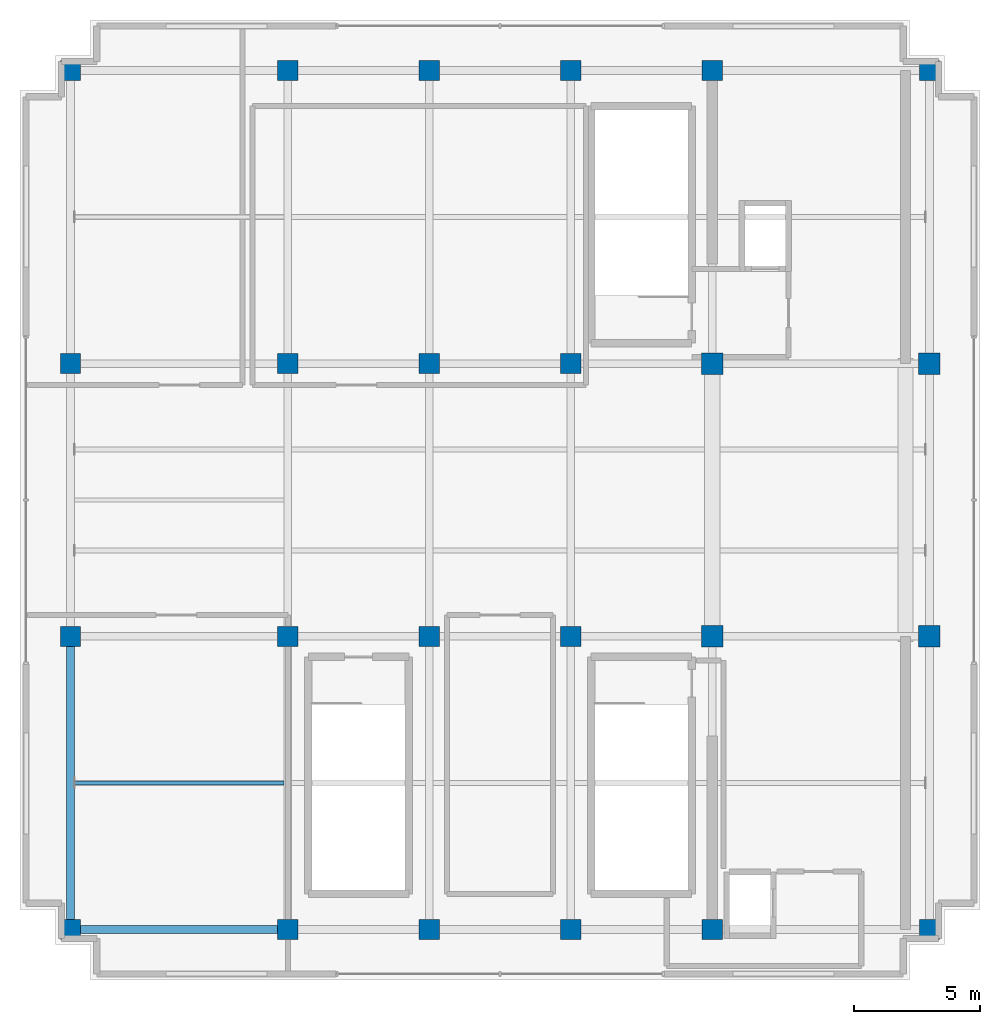
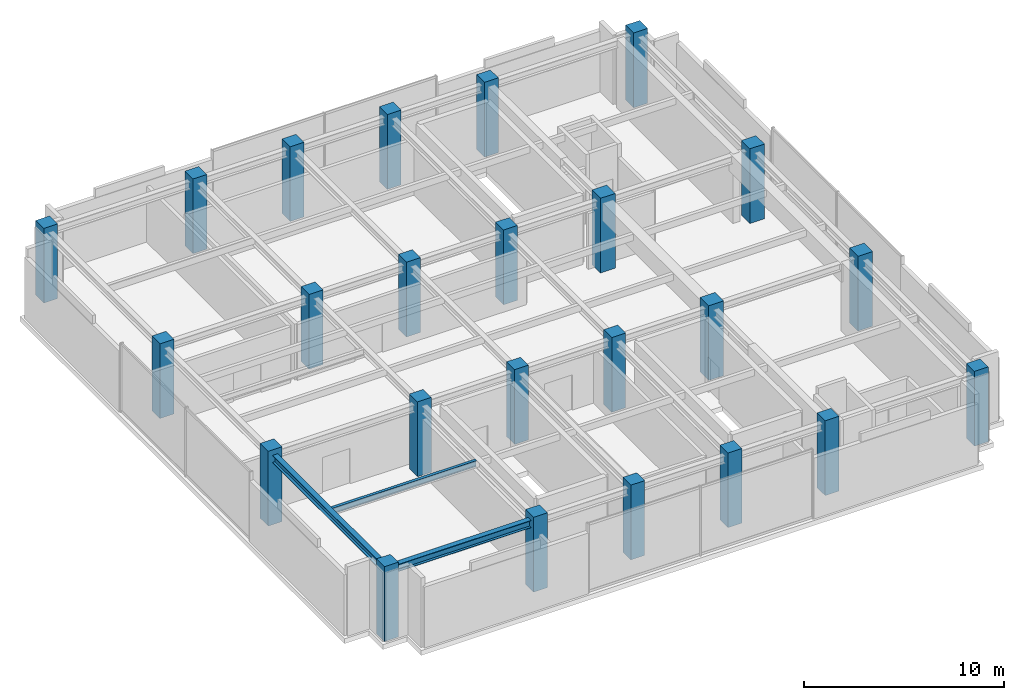
# One storey, part 1 of 21: 24 columns, 3 beams.
"""IFC4 building model written with IfcOpenShell, lengths in metres."""

from ifc_helpers import new_model, si_unit, direction, frame, origin, origin_2d, place, context, subcontext, project, spatial, rectangle, i_section, extrude, source, transform, mapped, material, material_profile, profile_set, type_object, element, save


model = new_model("IFC4")

# Units and contexts
model_context = context("Model", 3, precision=1e-05, world=origin(), true_north=direction((0.0, 1.0)))
body_context = subcontext(model_context, "Body", "Model", "MODEL_VIEW")
ifc_project = project(units=[si_unit("LENGTHUNIT", "METRE"), si_unit("AREAUNIT", "SQUARE_METRE"), si_unit("VOLUMEUNIT", "CUBIC_METRE"), si_unit("PLANEANGLEUNIT", "RADIAN"), si_unit("MASSUNIT", "GRAM", prefix="KILO")], contexts=[model_context])

# Site, building, storey
site_placement = place(None, origin())
site = spatial("IfcSite", under=ifc_project, at=site_placement, CompositionType="ELEMENT")
building_placement = place(site_placement, origin())
building = spatial("IfcBuilding", under=site, at=building_placement, Name="Nahalor Promenade Grand Hotel", CompositionType="ELEMENT")
storey_placement = place(building_placement, frame((0.0, 0.0, 370.85009765625)))
storey = spatial("IfcBuildingStorey", under=building, at=storey_placement, Name="L94", CompositionType="ELEMENT", Elevation=370.85009765625)

# Columns
ifc_material_1 = material(Name="Concrete B-50 (C40/50)", Category="concrete")
ifc_material_profile_1 = material_profile(ifc_material_1, rectangle(XDim=0.8, YDim=0.8, at=origin_2d()), Name="RC 800x800")
ifc_profile_set_1 = profile_set([ifc_material_profile_1], Name="Concrete B-50 (C40/50)")
column_type_1 = type_object("IfcColumnType", Name="Col-RC-800", PredefinedType="COLUMN", material=ifc_profile_set_1)
shared_shape_1 = source(origin(), body_context, "Body", "SweptSolid", [
    extrude(rectangle(XDim=0.8, YDim=0.8, at=origin_2d()), origin(), (0.0, 0.0, 1.0), 4.554931640625),
])
for number, where, z_axis, x_axis, name in (
    (1, (-17.0, -17.0, 0.0), (0.0, 0.0, 1.0), (1.0, 0.0, 0.0), "COL-L94-I00"),
    (2, (-17.0, -5.39990234375, 0.0), (0.0, 0.0, 1.0), (1.0, 0.0, 0.0), "COL-L94-I01"),
    (3, (-17.0, 5.39990234375, 0.0), (0.0, 0.0, 1.0), (1.0, 0.0, 0.0), "COL-L94-I02"),
    (4, (-17.0, 17.0, 0.0), (0.0, 0.0, 1.0), (1.0, 0.0, 0.0), "COL-L94-I03"),
    (5, (-8.39990234375, -17.0, 0.0), (0.0, 0.0, 1.0), (1.0, 0.0, 0.0), "COL-L94-I10"),
    (6, (-8.39990234375, -5.39990234375, 0.0), (0.0, 0.0, 1.0), (1.0, 0.0, 0.0), "COL-L94-I11"),
    (7, (-8.39990234375, 5.39990234375, 0.0), (0.0, 0.0, 1.0), (1.0, 0.0, 0.0), "COL-L94-I12"),
    (8, (-8.39990234375, 17.0, 0.0), (0.0, 0.0, 1.0), (1.0, 0.0, 0.0), "COL-L94-I13"),
    (9, (-2.800048828125, -17.0, 0.0), (0.0, 0.0, 1.0), (1.0, 0.0, 0.0), "COL-L94-I20"),
    (10, (-2.800048828125, -5.39990234375, 0.0), (0.0, 0.0, 1.0), (1.0, 0.0, 0.0), "COL-L94-I21"),
    (11, (-2.800048828125, 5.39990234375, 0.0), (0.0, 0.0, 1.0), (1.0, 0.0, 0.0), "COL-L94-I22"),
    (12, (-2.800048828125, 17.0, 0.0), (0.0, 0.0, 1.0), (1.0, 0.0, 0.0), "COL-L94-I23"),
    (13, (2.800048828125, -17.0, 0.0), (0.0, 0.0, 1.0), (1.0, 0.0, 0.0), "COL-L94-I30"),
    (14, (2.800048828125, -5.39990234375, 0.0), (0.0, 0.0, 1.0), (1.0, 0.0, 0.0), "COL-L94-I31"),
    (15, (2.800048828125, 5.39990234375, 0.0), (0.0, 0.0, 1.0), (1.0, 0.0, 0.0), "COL-L94-I32"),
    (16, (2.800048828125, 17.0, 0.0), (0.0, 0.0, 1.0), (1.0, 0.0, 0.0), "COL-L94-I33"),
    (17, (8.39990234375, -17.0, 0.0), (0.0, 0.0, 1.0), (1.0, 0.0, 0.0), "COL-L94-I40"),
    (18, (8.39990234375, 17.0, 0.0), (0.0, 0.0, 1.0), (1.0, 0.0, 0.0), "COL-L94-I43"),
    (19, (17.0, -17.0, 0.0), (0.0, 0.0, 1.0), (1.0, 0.0, 0.0), "COL-L94-I50"),
    (20, (17.0, 17.0, 0.0), (0.0, 0.0, 1.0), (1.0, 0.0, 0.0), "COL-L94-I53"),
):
    element("IfcColumn", number, at=place(storey_placement, frame(where, z_axis=z_axis, x_axis=x_axis)), inside=storey, type_object=column_type_1, Name=name, PredefinedType="COLUMN", context=body_context, shape_type="MappedRepresentation", body=[
        mapped(shared_shape_1, transform((0.0, 0.0, 0.0), scale=1.0)),
    ])
ifc_material_2 = material(Name="Concrete B-70 (C60/75)", Category="concrete")
ifc_material_profile_2 = material_profile(ifc_material_2, rectangle(XDim=0.85, YDim=0.85, at=origin_2d()), Name="RC 850x850")
ifc_profile_set_2 = profile_set([ifc_material_profile_2], Name="Concrete B-70 (C60/75)")
column_type_2 = type_object("IfcColumnType", Name="Col-Pilaster-850", PredefinedType="PILASTER", material=ifc_profile_set_2)
shared_shape_2 = source(origin(), body_context, "Body", "SweptSolid", [
    extrude(rectangle(XDim=0.85, YDim=0.85, at=origin_2d()), origin(), (0.0, 0.0, 1.0), 4.554931640625),
])
for number, where, z_axis, x_axis, name in (
    (21, (8.39990234375, -5.39990234375, 0.0), (0.0, 0.0, 1.0), (1.0, 0.0, 0.0), "COL-L94-I41"),
    (22, (8.39990234375, 5.39990234375, 0.0), (0.0, 0.0, 1.0), (1.0, 0.0, 0.0), "COL-L94-I42"),
    (23, (17.0, -5.39990234375, 0.0), (0.0, 0.0, 1.0), (1.0, 0.0, 0.0), "COL-L94-I51"),
    (24, (17.0, 5.39990234375, 0.0), (0.0, 0.0, 1.0), (1.0, 0.0, 0.0), "COL-L94-I52"),
):
    element("IfcColumn", number, at=place(storey_placement, frame(where, z_axis=z_axis, x_axis=x_axis)), inside=storey, type_object=column_type_2, Name=name, PredefinedType="PILASTER", context=body_context, shape_type="MappedRepresentation", body=[
        mapped(shared_shape_2, transform((0.0, 0.0, 0.0), scale=1.0)),
    ])

# Beams
ifc_material_3 = material(Name="Steel S355JR", Category="steel")
ifc_material_profile_3 = material_profile(ifc_material_3, i_section(OverallWidth=0.3, OverallDepth=0.45, WebThickness=0.014, FlangeThickness=0.026, at=origin_2d()), Name="HEB 450")
ifc_profile_set_3 = profile_set([ifc_material_profile_3], Name="Steel S355JR")
beam_type_1 = type_object("IfcBeamType", Name="Beam-Girder-HEB450", PredefinedType="BEAM", material=ifc_profile_set_3)
shared_shape_3 = source(origin(), body_context, "Body", "SweptSolid", [
    extrude(i_section(OverallWidth=0.3, OverallDepth=0.45, WebThickness=0.014, FlangeThickness=0.026, at=origin_2d()), origin(), (0.0, 0.0, 1.0), 8.60009765625),
])
beam_1_placement = place(storey_placement, frame((-17.0, -17.0, 3.994873046875), z_axis=(1.0, 0.0, 0.0), x_axis=(0.0, 1.0, 0.0)))
element("IfcBeam", 25, at=beam_1_placement, inside=storey, type_object=beam_type_1, Name="BM-L94-GX-0-0", PredefinedType="BEAM", context=body_context, shape_type="MappedRepresentation", body=[
    mapped(shared_shape_3, transform((0.0, 0.0, 0.0), scale=1.0)),
])
shared_shape_4 = source(origin(), body_context, "Body", "SweptSolid", [
    extrude(i_section(OverallWidth=0.3, OverallDepth=0.45, WebThickness=0.014, FlangeThickness=0.026, at=origin_2d()), origin(), (0.0, 0.0, 1.0), 11.60009765625),
])
beam_2_placement = place(storey_placement, frame((-17.0, -17.0, 3.994873046875), z_axis=(0.0, 1.0, 0.0), x_axis=(-1.0, 0.0, 0.0)))
element("IfcBeam", 26, at=beam_2_placement, inside=storey, type_object=beam_type_1, Name="BM-L94-GY-0-0", PredefinedType="BEAM", context=body_context, shape_type="MappedRepresentation", body=[
    mapped(shared_shape_4, transform((0.0, 0.0, 0.0), scale=1.0)),
])
ifc_material_profile_4 = material_profile(ifc_material_3, i_section(OverallWidth=0.17, OverallDepth=0.36, WebThickness=0.008, FlangeThickness=0.0127, at=origin_2d()), Name="IPE 360")
ifc_profile_set_4 = profile_set([ifc_material_profile_4], Name="Steel S355JR")
beam_type_2 = type_object("IfcBeamType", Name="Beam-Joist-IPE360", PredefinedType="JOIST", material=ifc_profile_set_4)
shared_shape_5 = source(origin(), body_context, "Body", "SweptSolid", [
    extrude(i_section(OverallWidth=0.17, OverallDepth=0.36, WebThickness=0.008, FlangeThickness=0.0127, at=origin_2d()), origin(), (0.0, 0.0, 1.0), 8.300048828125),
])
beam_3_placement = place(storey_placement, frame((-16.85009765625, -11.199951171875, 4.039794921875), z_axis=(1.0, 0.0, 0.0), x_axis=(0.0, 1.0, 0.0)))
element("IfcBeam", 27, at=beam_3_placement, inside=storey, type_object=beam_type_2, Name="BM-L94-JSW-0-1", PredefinedType="JOIST", context=body_context, shape_type="MappedRepresentation", body=[
    mapped(shared_shape_5, transform((0.0, 0.0, 0.0), scale=1.0)),
])

save(model, "model.ifc")
